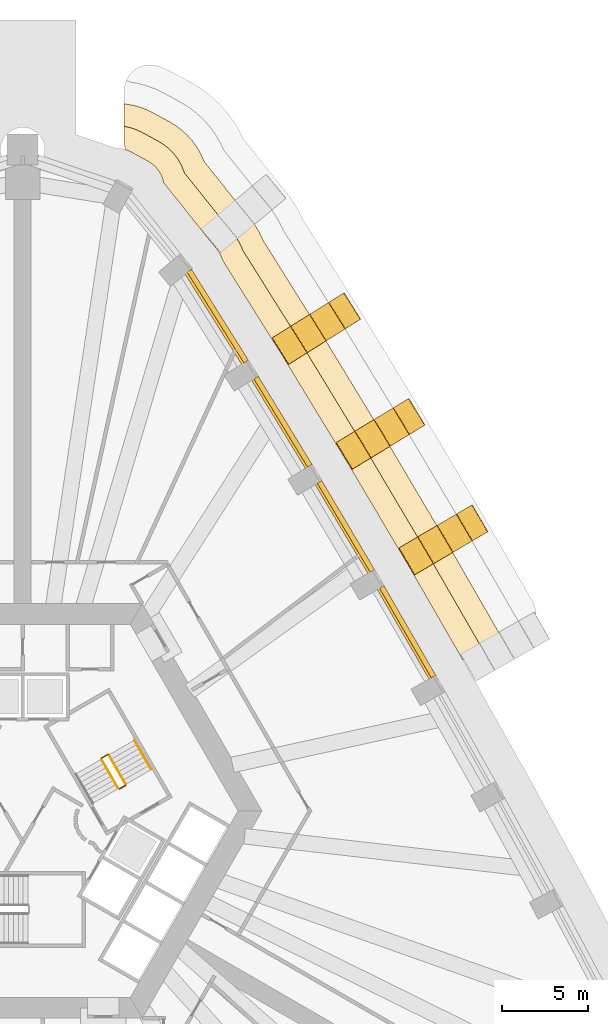
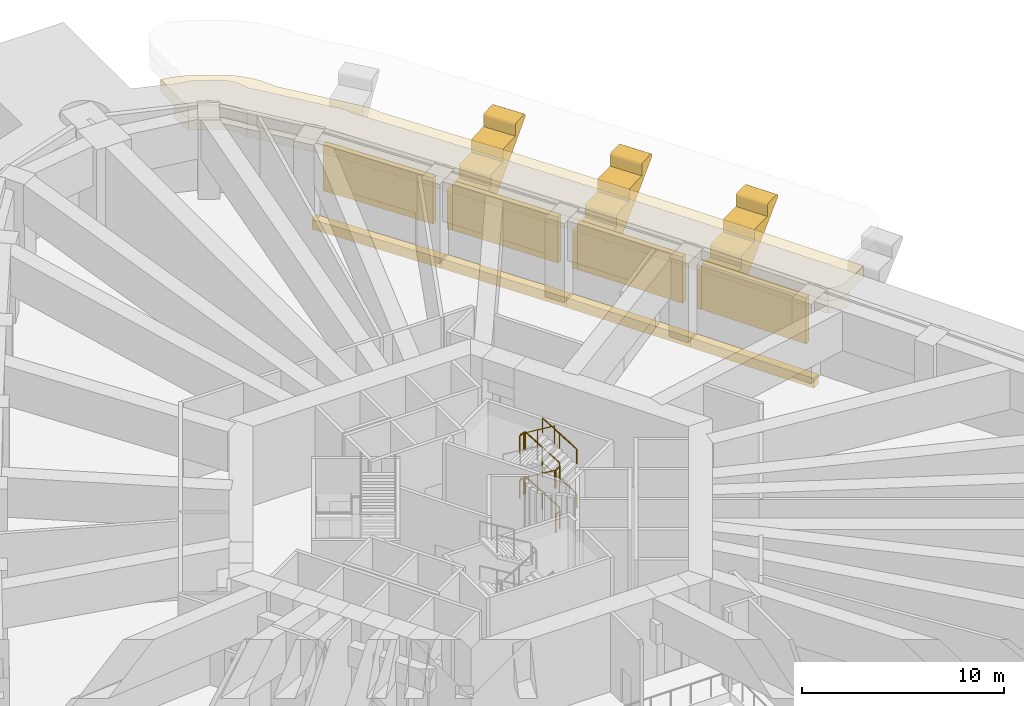
# One storey, part 18 of 20: 10 railings, 9 coverings, 4 shading devices.
"""IFC4 building model written with IfcOpenShell, lengths in metres."""

import ifcopenshell
import ifcopenshell.guid

model = None  # the IFC model being written
_history = None  # IfcOwnerHistory: only IFC2X3 demands one
_inside = {}  # id of a spatial element -> (the spatial element, [elements in it])
_under = {}  # id of a project, library or spatial element -> (it, [spatial elements below it])
_declared = {}  # id of a project -> (the project, [libraries it declares])
_typed = {}  # id of a type object -> (the type object, [elements of that type])
_made_of = {}  # id of a material, layer set ... -> (it, [elements and type objects made of it])


def new_model(schema):
    """Start an empty IFC model of exactly this schema.

    Asked for "IFC4X3", IfcOpenShell would pick the latest addendum, in which some entities
    have other attributes; the version numbers below select the first issue.
    IFC2X3 requires an IfcOwnerHistory on every rooted entity: one is made here for all.
    """
    global model, _history
    if schema == "IFC4X3":
        model = ifcopenshell.file(schema_version=(4, 3, 0, 0))
    else:
        model = ifcopenshell.file(schema=schema)
    _inside.clear()
    _under.clear()
    _declared.clear()
    _typed.clear()
    _made_of.clear()
    _history = None
    if model.schema == "IFC2X3":
        org = make("IfcOrganization", Name="unknown")
        user = make(
            "IfcPersonAndOrganization",
            ThePerson=make("IfcPerson", FamilyName="unknown"),
            TheOrganization=org,
        )
        app = make(
            "IfcApplication",
            ApplicationDeveloper=org,
            Version="unknown",
            ApplicationFullName="unknown",
            ApplicationIdentifier="unknown",
        )
        _history = make(
            "IfcOwnerHistory",
            OwningUser=user,
            OwningApplication=app,
            ChangeAction="ADDED",
            CreationDate=0,
        )
    return model


def make(cls, **values):
    """One entity of the class cls with the attributes given. An attribute that is None is left unset."""
    return model.create_entity(
        cls, **{name: value for name, value in values.items() if value is not None}
    )


def rooted(cls, **values):
    """An entity with a GlobalId (a new one), such as an element, a storey or a relation."""
    return make(cls, GlobalId=ifcopenshell.guid.new(), OwnerHistory=_history, **values)


def si_unit(unit_type, name, prefix=None):
    """IfcSIUnit, for example si_unit("LENGTHUNIT", "METRE", prefix="MILLI")."""
    return make("IfcSIUnit", UnitType=unit_type, Prefix=prefix, Name=name)


def assignment(units):
    """IfcUnitAssignment: the units of a project."""
    return None if units is None else make("IfcUnitAssignment", Units=units)


def point(xyz):
    """IfcCartesianPoint."""
    return None if xyz is None else make("IfcCartesianPoint", Coordinates=xyz)


def direction(xyz):
    """IfcDirection."""
    return None if xyz is None else make("IfcDirection", DirectionRatios=xyz)


def frame(location, z_axis=None, x_axis=None):
    """IfcAxis2Placement3D, a coordinate frame: its origin and axes. An axis left out is left unset."""
    return make(
        "IfcAxis2Placement3D",
        Location=point(location),
        Axis=direction(z_axis),
        RefDirection=direction(x_axis),
    )


def frame_2d(location, x_axis=None):
    """IfcAxis2Placement2D, a coordinate frame in the plane: its origin and x axis."""
    return make(
        "IfcAxis2Placement2D", Location=point(location), RefDirection=direction(x_axis)
    )


def origin():
    """The frame at (0, 0, 0) with its axes left unset."""
    return frame((0.0, 0.0, 0.0))


def origin_2d():
    """The frame at (0, 0) in the plane with its x axis left unset."""
    return frame_2d((0.0, 0.0))


def place(relative_to, where):
    """IfcLocalPlacement: puts the frame where relative to a parent placement (None: the world)."""
    return make(
        "IfcLocalPlacement", PlacementRelTo=relative_to, RelativePlacement=where
    )


def context(
    kind, dimensions, precision=None, world=None, true_north=None, identifier=None
):
    """IfcGeometricRepresentationContext, for example the 3D "Model" context."""
    return make(
        "IfcGeometricRepresentationContext",
        ContextIdentifier=identifier,
        ContextType=kind,
        CoordinateSpaceDimension=dimensions,
        Precision=precision,
        WorldCoordinateSystem=world,
        TrueNorth=true_north,
    )


def subcontext(parent, identifier, kind, view, scale=None):
    """IfcGeometricRepresentationSubContext, for example "Body" below "Model"."""
    return make(
        "IfcGeometricRepresentationSubContext",
        ContextIdentifier=identifier,
        ContextType=kind,
        ParentContext=parent,
        TargetScale=scale,
        TargetView=view,
    )


def project(units=None, contexts=None):
    """IfcProject with its units and contexts."""
    return rooted(
        "IfcProject",
        Name="project",
        RepresentationContexts=contexts,
        UnitsInContext=assignment(units),
    )


def spatial(cls, under=None, at=None, **own):
    """A site, building, storey or space (cls), placed at a placement, below another one or the project."""
    s = rooted(cls, ObjectPlacement=at, **own)
    if under is not None:
        _under.setdefault(under.id(), (under, []))[1].append(s)
    return s


def polyline(points):
    """IfcPolyline through the points."""
    return make("IfcPolyline", Points=[point(p) for p in points])


def profile(cls, at=None, kind="AREA", **sizes):
    """A parametric profile (cls). Its sizes go by their IFC names, for example OverallWidth=200.0."""
    return make(cls, ProfileType=kind, Position=at, **sizes)


def rectangle(**sizes):
    """IfcRectangleProfileDef."""
    return profile("IfcRectangleProfileDef", **sizes)


def circle(**sizes):
    """IfcCircleProfileDef."""
    return profile("IfcCircleProfileDef", **sizes)


def outline(outer, holes=None, kind="AREA"):
    """IfcArbitraryClosedProfileDef: a profile drawn as a closed curve; with holes, ...WithVoids."""
    if holes is None:
        return make("IfcArbitraryClosedProfileDef", ProfileType=kind, OuterCurve=outer)
    return make(
        "IfcArbitraryProfileDefWithVoids",
        ProfileType=kind,
        OuterCurve=outer,
        InnerCurves=holes,
    )


def extrude(swept, where, along, depth):
    """IfcExtrudedAreaSolid: the profile swept, set in the frame where, extruded along a direction by depth."""
    return make(
        "IfcExtrudedAreaSolid",
        SweptArea=swept,
        Position=where,
        ExtrudedDirection=direction(along),
        Depth=depth,
    )


def shape(context_of_items, identifier, shape_type, items):
    """IfcShapeRepresentation: the items that make up one representation, for example the "Body"."""
    return make(
        "IfcShapeRepresentation",
        ContextOfItems=context_of_items,
        RepresentationIdentifier=identifier,
        RepresentationType=shape_type,
        Items=items,
    )


def material(Name=None, Category=None):
    """IfcMaterial."""
    return make("IfcMaterial", Name=Name, Category=Category)


def layer(
    of_material, thickness, ventilated=None, Name=None, Category=None, Priority=None
):
    """IfcMaterialLayer: one layer of a wall or slab, of a material (None: an air gap)."""
    return make(
        "IfcMaterialLayer",
        Material=of_material,
        LayerThickness=thickness,
        IsVentilated=ventilated,
        Name=Name,
        Category=Category,
        Priority=Priority,
    )


def layer_set(layers, Name=None):
    """IfcMaterialLayerSet."""
    return make("IfcMaterialLayerSet", MaterialLayers=layers, LayerSetName=Name)


def made_of(thing, what):
    """Note that an element or type object is made of a material, layer set ...; save() writes the relation."""
    if what is not None:
        _made_of.setdefault(what.id(), (what, []))[1].append(thing)
    return thing


def type_object(cls, material=None, **own):
    """A type object (cls), such as IfcWallType, which elements share."""
    return made_of(rooted(cls, **own), material)


def element(
    cls,
    number,
    at=None,
    inside=None,
    cuts=None,
    type_object=None,
    material=None,
    context=None,
    identifier="Body",
    shape_type=None,
    held_by="IfcProductDefinitionShape",
    body=None,
    shapes=None,
    **own,
):
    """One element of the class cls, such as IfcWall. Its Tag is "e" and its number.

    at: its placement. inside: the storey or other place that contains it. cuts: it is an
    opening in that element (IfcRelVoidsElement). A single representation is given by context,
    identifier, shape_type and body (its items); several are given by shapes. held_by: the class
    of the entity that holds the representations. save() writes the other relations.
    """
    e = rooted(cls, Tag="e%d" % number, ObjectPlacement=at, **own)
    if body is not None:
        shapes = [shape(context, identifier, shape_type, body)]
    if shapes is not None:
        e.Representation = make(held_by, Representations=shapes)
    if inside is not None:
        _inside.setdefault(inside.id(), (inside, []))[1].append(e)
    if cuts is not None:
        rooted(
            "IfcRelVoidsElement", RelatingBuildingElement=cuts, RelatedOpeningElement=e
        )
    if type_object is not None:
        _typed.setdefault(type_object.id(), (type_object, []))[1].append(e)
    return made_of(e, material)


def aggregate(whole, parts):
    """IfcRelAggregates: a whole, such as a stair, and the parts it consists of."""
    return rooted("IfcRelAggregates", RelatingObject=whole, RelatedObjects=parts)


def save(model, path):
    """Write the relations noted so far, then the file.

    IfcRelAggregates (storeys below a building ...), IfcRelContainedInSpatialStructure (elements
    in a storey), IfcRelDefinesByType, IfcRelAssociatesMaterial and IfcRelDeclares: one each for
    every whole, place, type object, material and project.
    """
    for whole, parts in _under.values():
        aggregate(whole, parts)
    for where, things in _inside.values():
        rooted(
            "IfcRelContainedInSpatialStructure",
            RelatedElements=things,
            RelatingStructure=where,
        )
    for kind, things in _typed.values():
        rooted("IfcRelDefinesByType", RelatedObjects=things, RelatingType=kind)
    for what, things in _made_of.values():
        rooted("IfcRelAssociatesMaterial", RelatedObjects=things, RelatingMaterial=what)
    for by, libraries in _declared.values():
        rooted("IfcRelDeclares", RelatingContext=by, RelatedDefinitions=libraries)
    model.write(path)


model = new_model("IFC4")

# Units and contexts
model_context = context("Model", 3, precision=1e-05, world=origin(), true_north=direction((0.0, 1.0)))
body_context = subcontext(model_context, "Body", "Model", "MODEL_VIEW")
ifc_project = project(units=[si_unit("LENGTHUNIT", "METRE"), si_unit("AREAUNIT", "SQUARE_METRE"), si_unit("VOLUMEUNIT", "CUBIC_METRE"), si_unit("PLANEANGLEUNIT", "RADIAN"), si_unit("MASSUNIT", "GRAM", prefix="KILO")], contexts=[model_context])

# Site, building, storey
site_placement = place(None, origin())
site = spatial("IfcSite", under=ifc_project, at=site_placement, CompositionType="ELEMENT")
building_placement = place(site_placement, origin())
building = spatial("IfcBuilding", under=site, at=building_placement, Name="Entoto Arch Interchange Tower", CompositionType="ELEMENT")
storey_placement = place(building_placement, frame((0.0, 0.0, 184.39990234375)))
storey = spatial("IfcBuildingStorey", under=building, at=storey_placement, Name="L41", CompositionType="ELEMENT", Elevation=184.39990234375)

# Shading devices
ifc_material_1 = material(Name="Aluminium, anodised", Category="aluminium")
ifc_layer = layer(ifc_material_1, 0.300048828125)
ifc_layer_set = layer_set([ifc_layer], Name="Aluminium, anodised")
shading_device_type = type_object("IfcShadingDeviceType", Name="PLANT LOUVRE ALUMINIUM", PredefinedType="JALOUSIE", material=ifc_layer_set)
shading_device_1_placement = place(storey_placement, frame((22.291015625, 12.8701171875, 1.2001953125), z_axis=(0.0, 0.0, 1.0), x_axis=(-0.499954654331, 0.866051582536, 0.0)))
element("IfcShadingDevice", 1, at=shading_device_1_placement, inside=storey, type_object=shading_device_type, Name="Plant louvre NE-04 L41", PredefinedType="JALOUSIE", context=body_context, shape_type="SweptSolid", body=[
    extrude(rectangle(XDim=5.97705078125, YDim=0.300048828125, at=origin_2d()), origin(), (0.0, 0.0, 1.0), 2.800048828125),
])
shading_device_2_placement = place(storey_placement, frame((18.718017578125, 18.97412109375, 1.2001953125), z_axis=(0.0, 0.0, 1.0), x_axis=(-0.510137665403, 0.860092763798, 0.0)))
element("IfcShadingDevice", 2, at=shading_device_2_placement, inside=storey, type_object=shading_device_type, Name="Plant louvre NE-05 L41", PredefinedType="JALOUSIE", context=body_context, shape_type="SweptSolid", body=[
    extrude(rectangle(XDim=5.97509765625, YDim=0.300048828125, at=origin_2d()), origin(), (0.0, 0.0, 1.0), 2.800048828125),
])
shading_device_3_placement = place(storey_placement, frame((15.072021484375, 25.037109375, 1.2001953125), z_axis=(0.0, 0.0, 1.0), x_axis=(-0.520458324188, 0.853887072617, 0.0)))
element("IfcShadingDevice", 3, at=shading_device_3_placement, inside=storey, type_object=shading_device_type, Name="Plant louvre NE-06 L41", PredefinedType="JALOUSIE", context=body_context, shape_type="SweptSolid", body=[
    extrude(rectangle(XDim=5.97705078125, YDim=0.300048828125, at=origin_2d()), origin(), (0.0, 0.0, 1.0), 2.800048828125),
])
shading_device_4_placement = place(storey_placement, frame((11.300048828125, 31.14306640625, 1.2001953125), z_axis=(0.0, 0.0, 1.0), x_axis=(-0.530703502672, 0.847557545097, 0.0)))
element("IfcShadingDevice", 4, at=shading_device_4_placement, inside=storey, type_object=shading_device_type, Name="Plant louvre NE-07 L41", PredefinedType="JALOUSIE", context=body_context, shape_type="SweptSolid", body=[
    extrude(rectangle(XDim=6.181884765625, YDim=0.300048828125, at=origin_2d()), origin(), (0.0, 0.0, 1.0), 2.800048828125),
])

# Coverings
ifc_material_2 = material(Name="Board-marked precast concrete C50/60", Category="concrete")
covering_type_1 = type_object("IfcCoveringType", Name="PRECAST FRAME COURSE", PredefinedType="CLADDING", material=ifc_material_2)
covering_1_placement = place(storey_placement, frame((0.0, 0.0, 2.550048828125)))
element("IfcCovering", 5, at=covering_1_placement, inside=storey, type_object=covering_type_1, Name="Cantilever cornice ne-L41 3", PredefinedType="CLADDING", context=body_context, shape_type="SweptSolid", body=[
    extrude(outline(polyline([(5.93408203125, 40.881103515625), (5.89990234375, 41.02099609375), (5.87890625, 41.1630859375), (5.8720703125, 41.306884765625), (5.8720703125, 43.4541015625), (5.9541015625, 43.426025390625), (6.3291015625, 43.366943359375), (6.7470703125, 43.259033203125), (7.152099609375, 43.110107421875), (7.541015625, 42.922119140625), (8.506103515625, 42.39501953125), (8.875, 42.169921875), (9.218994140625, 41.909912109375), (9.537109375, 41.616943359375), (9.823974609375, 41.294921875), (10.077880859375, 40.945068359375), (10.297119140625, 40.572998046875), (10.47802734375, 40.180908203125), (10.508056640625, 40.095947265625), (12.89306640625, 37.10693359375), (13.217041015625, 36.718017578125), (13.47607421875, 36.373046875), (13.699951171875, 36.00390625), (13.886962890625, 35.614013671875), (13.9150390625, 35.5400390625), (16.791015625, 30.947021484375), (16.800048828125, 30.93408203125), (17.383056640625, 30.0), (17.409912109375, 29.95703125), (20.5009765625, 24.8720703125), (20.52099609375, 24.843017578125), (21.091064453125, 23.902099609375), (21.113037109375, 23.864990234375), (24.135986328125, 18.760009765625), (24.1689453125, 18.7099609375), (24.72607421875, 17.760986328125), (24.741943359375, 17.73193359375), (27.697021484375, 12.60595703125), (27.743896484375, 12.532958984375), (28.01611328125, 12.054931640625), (27.30810546875, 11.653076171875), (26.763916015625, 11.343994140625), (26.639892578125, 11.281005859375), (26.510986328125, 11.22900390625), (26.376953125, 11.18994140625), (26.239990234375, 11.1640625), (26.10205078125, 11.14990234375), (25.9619140625, 11.14892578125), (25.823974609375, 11.160888671875), (25.68701171875, 11.18603515625), (25.552978515625, 11.22412109375), (25.487060546875, 11.2451171875), (25.5009765625, 11.216064453125), (25.48291015625, 11.248046875), (25.43603515625, 11.322021484375), (22.489990234375, 16.43408203125), (22.48291015625, 16.445068359375), (21.926025390625, 17.39404296875), (21.89306640625, 17.445068359375), (18.8759765625, 22.541015625), (18.866943359375, 22.555908203125), (18.297119140625, 23.4970703125), (18.277099609375, 23.52587890625), (15.18798828125, 28.60595703125), (15.177001953125, 28.6240234375), (14.594970703125, 29.556884765625), (14.5849609375, 29.571044921875), (11.56298828125, 34.39599609375), (11.552001953125, 34.43896484375), (11.490966796875, 34.60498046875), (11.4150390625, 34.763916015625), (11.322998046875, 34.9150390625), (11.217041015625, 35.055908203125), (10.876953125, 35.466064453125), (8.16796875, 38.85888671875), (8.1669921875, 38.868896484375), (8.1259765625, 39.0400390625), (8.068115234375, 39.20703125), (7.993896484375, 39.366943359375), (7.904052734375, 39.52001953125), (7.800048828125, 39.662109375), (7.68310546875, 39.7939453125), (7.552978515625, 39.9140625), (7.412109375, 40.02099609375), (7.260986328125, 40.113037109375), (6.294921875, 40.639892578125), (6.135986328125, 40.716064453125), (5.970947265625, 40.777099609375), (5.93505859375, 40.787109375), (5.968017578125, 40.780029296875), (5.9599609375, 40.80810546875), (5.93408203125, 40.881103515625)])), origin(), (0.0, 0.0, 1.0), 0.75),
])
covering_2_placement = place(storey_placement, frame((0.0, 0.0, 1.800048828125)))
element("IfcCovering", 6, at=covering_2_placement, inside=storey, type_object=covering_type_1, Name="Cantilever cornice ne-L41 4", PredefinedType="CLADDING", context=body_context, shape_type="SweptSolid", body=[
    extrude(outline(polyline([(5.93408203125, 40.881103515625), (5.89990234375, 41.02099609375), (5.87890625, 41.1630859375), (5.8720703125, 41.306884765625), (5.8720703125, 42.125), (6.06396484375, 42.094970703125), (6.35888671875, 42.01806640625), (6.64404296875, 41.9130859375), (6.91796875, 41.781005859375), (7.884033203125, 41.25390625), (8.14306640625, 41.094970703125), (8.385986328125, 40.912109375), (8.610107421875, 40.7060546875), (8.81201171875, 40.47802734375), (8.990966796875, 40.23291015625), (9.14501953125, 39.969970703125), (9.27294921875, 39.694091796875), (9.35595703125, 39.455078125), (11.885009765625, 36.287109375), (12.217041015625, 35.886962890625), (12.39990234375, 35.64404296875), (12.55810546875, 35.384033203125), (12.68896484375, 35.110107421875), (12.743896484375, 34.958984375), (15.68798828125, 30.259033203125), (15.697021484375, 30.2451171875), (16.280029296875, 29.31201171875), (16.299072265625, 29.281005859375), (19.388916015625, 24.198974609375), (19.408935546875, 24.169921875), (19.97900390625, 23.22900390625), (19.993896484375, 23.202880859375), (23.014892578125, 18.10205078125), (23.048095703125, 18.052001953125), (23.60400390625, 17.10302734375), (23.615966796875, 17.0830078125), (26.56689453125, 11.964111328125), (26.614013671875, 11.89111328125), (26.885009765625, 11.412109375), (26.763916015625, 11.343994140625), (26.639892578125, 11.281005859375), (26.510986328125, 11.22900390625), (26.376953125, 11.18994140625), (26.239990234375, 11.1640625), (26.10205078125, 11.14990234375), (25.9619140625, 11.14892578125), (25.823974609375, 11.160888671875), (25.68701171875, 11.18603515625), (25.552978515625, 11.22412109375), (25.487060546875, 11.2451171875), (25.5009765625, 11.216064453125), (25.48291015625, 11.248046875), (25.43603515625, 11.322021484375), (22.489990234375, 16.43408203125), (22.48291015625, 16.445068359375), (21.926025390625, 17.39404296875), (21.89306640625, 17.445068359375), (18.8759765625, 22.541015625), (18.866943359375, 22.555908203125), (18.297119140625, 23.4970703125), (18.277099609375, 23.52587890625), (15.18798828125, 28.60595703125), (15.177001953125, 28.6240234375), (14.594970703125, 29.556884765625), (14.5849609375, 29.571044921875), (11.56298828125, 34.39599609375), (11.552001953125, 34.43896484375), (11.490966796875, 34.60498046875), (11.4150390625, 34.763916015625), (11.322998046875, 34.9150390625), (11.217041015625, 35.055908203125), (10.876953125, 35.466064453125), (8.16796875, 38.85888671875), (8.1669921875, 38.868896484375), (8.1259765625, 39.0400390625), (8.068115234375, 39.20703125), (7.993896484375, 39.366943359375), (7.904052734375, 39.52001953125), (7.800048828125, 39.662109375), (7.68310546875, 39.7939453125), (7.552978515625, 39.9140625), (7.412109375, 40.02099609375), (7.260986328125, 40.113037109375), (6.294921875, 40.639892578125), (6.135986328125, 40.716064453125), (5.970947265625, 40.777099609375), (5.93505859375, 40.787109375), (5.968017578125, 40.780029296875), (5.9599609375, 40.80810546875), (5.93408203125, 40.881103515625)])), origin(), (0.0, 0.0, 1.0), 0.75),
])
covering_3_placement = place(storey_placement, frame((22.904052734375, 16.287109375, -0.558837890625), z_axis=(0.506178265225, -0.862424439816, 0.00276575884), x_axis=(-0.70862638279, -0.417733968035, -0.568636071283)))
element("IfcCovering", 7, at=covering_3_placement, inside=storey, type_object=covering_type_1, Name="Fold rib NE05 L41", PredefinedType="CLADDING", context=body_context, shape_type="SweptSolid", body=[
    extrude(outline(polyline([(0.0, 0.0), (0.04422566295487457, 0.0), (0.08595894852174216, -0.013119868138948679), (0.12196402508974288, -0.03563695026267064), (0.14994488306903442, -0.06952027326071052), (0.16710566897710674, -0.10928392518010005), (0.17288888961301355, -0.15216034665317263), (0.16576632923902182, -0.19472575786197485), (0.1540318020802306, -0.22193159542053087), (-1.0472732531100832, -1.9614611364776606), (-1.066858630845241, -1.9832409948300753), (-1.0891608267273014, -2.0016582290551583), (-1.1156231470006825, -2.015122152443526), (-1.1440996114224011, -2.023337670002035), (-1.1737038608145887, -2.026020625224495), (-1.2030006056124884, -2.0226886341983215), (-1.2304515201661417, -2.013506938851057), (-1.2568500621251348, -1.9988184224937238), (-2.1778319797531416, -1.3621590944500217), (-2.5277634650418768, -1.8678924745721954), (-2.5611825815428224, -1.8958391622289439), (-2.5867798793762744, -1.9099031356620508), (-2.6148484004698336, -1.9183978244416768), (-2.6448605931901805, -1.92080160844302), (-2.6880995741830302, -1.9140616593601236), (-2.727598851172568, -1.8938785769333655), (-3.6736503094416944, -1.2398918627927673), (-4.024171826850333, -1.7452149956844294), (-4.057000911231375, -1.7735719305716893), (-4.083188241184731, -1.7872256567742841), (-4.111429766766276, -1.7956003355449623), (-4.140749941534679, -1.7984841595820968), (-4.184680940479472, -1.7912641704634098), (-4.22331519502908, -1.77168113808139), (-5.169539657786193, -1.1175744139318438), (-5.520061175194831, -1.622897546823506), (-5.552482316247715, -1.6515336529318834), (-5.57877163203311, -1.665117586329199), (-5.6071461106227884, -1.6734028966929873), (-5.636160327895073, -1.6764960991459597), (-5.680499270168025, -1.668996938806155), (-5.719306529205618, -1.649293896415188), (-6.353034184918298, -1.2112066932315657), (-6.375927870409132, -1.1918183554389512), (-6.394241831170093, -1.1681796371492865), (-6.407996353685955, -1.1417525779483495), (-6.416351508535177, -1.1128274575622026), (-6.418320522450715, -1.0835668000286995), (-6.41365349813093, -1.0538506378433907), (-6.404473986812073, -1.0248752917526756), (-6.389884360474936, -0.9999385358591821), (-6.369916678564401, -0.9772353622571148), (-6.345510671796468, -0.9599765630235026), (-6.319221356011074, -0.9463926296261871), (-6.290435177812787, -0.9395804673531223), (0.0, 0.0)])), origin(), (0.0, 0.0, -1.0), 1.800048828125),
])
covering_4_placement = place(storey_placement, frame((19.2900390625, 22.402099609375, -0.552001953125), z_axis=(0.517752920383, -0.85552433791, 0.003165545661), x_axis=(-0.701923410649, -0.426905083282, -0.570136453361)))
element("IfcCovering", 8, at=covering_4_placement, inside=storey, type_object=covering_type_1, Name="Fold rib NE06 L41", PredefinedType="CLADDING", context=body_context, shape_type="SweptSolid", body=[
    extrude(outline(polyline([(0.0, 0.0), (0.04367411317336317, 3.469446951953614e-18), (0.0845203331228755, -0.012596957502351461), (0.12147895809213305, -0.035866588809114724), (0.14940118369193875, -0.06980508334126974), (0.16689574830989765, -0.10988099805359525), (0.17157949698514133, -0.1374999813375605), (0.16806133402309337, -0.18112155987139122), (0.15292710229572604, -0.2220269852389586), (-1.0477593783389882, -1.9533740388557852), (-1.0672136165088977, -1.975236973210992), (-1.0897189426623253, -1.9934948169150273), (-1.1164490977843209, -2.006744457317578), (-1.1445285256137947, -2.0151899438496756), (-1.173859340670821, -2.0180155969479867), (-1.203157308089536, -2.0146240701276685), (-1.2307611692822922, -2.005272564110313), (-1.2562687462858937, -1.9911362249051652), (-2.1763551577277154, -1.352614081204017), (-2.5278173077964157, -1.8572833630696186), (-2.5607048232393073, -1.8855753621625748), (-2.586913853992062, -1.8991826293267668), (-2.615581549337106, -1.9072226011196411), (-2.6447409963739545, -1.9101676675478623), (-2.688136049519008, -1.903229357564884), (-2.727835874069739, -1.8828106421853987), (-3.6720351337684844, -1.2275543536591065), (-4.023497283837185, -1.7322236355247076), (-4.056109206386049, -1.760706573299903), (-4.082593830032831, -1.7741229017818565), (-4.111090157357697, -1.7822822869046409), (-4.140420972414724, -1.7851079400029515), (-4.183644657539599, -1.7782890433498835), (-4.222830378029796, -1.75822856796013), (-5.167439516915227, -1.1026855647964346), (-5.519005891857775, -1.607283321309708), (-5.551789182426818, -1.6356468457549922), (-5.578102438053421, -1.6491825875668562), (-5.606770133398466, -1.65722255935973), (-5.636100948455492, -1.6600482124580411), (-5.67974153307576, -1.6529432143956595), (-5.718338986050386, -1.63328825374513), (-6.351336084398964, -1.1939998372821279), (-6.3742927150757165, -1.1745005855294948), (-6.392465707985906, -1.1508944463182358), (-6.406685316772488, -1.1240885049172524), (-6.413885051004961, -1.095910989234032), (-6.416213005958788, -1.0663627923319514), (-6.4120778602387425, -1.0362453101268856), (-6.402255332742336, -1.0076982954371374), (-6.387618346932224, -0.9827893625005921), (-6.36760733488208, -0.9601241391661328), (-6.343756218808641, -0.9425010032985686), (-6.316757491101326, -0.9294429148063466), (-6.286987424180176, -0.9221666977424281), (0.0, 0.0)])), origin(), (0.0, 0.0, -1.0), 1.800048828125),
])
covering_5_placement = place(storey_placement, frame((15.60205078125, 28.47607421875, -0.537841796875), z_axis=(0.529413902345, -0.848357385374, 0.003265989121), x_axis=(-0.691646463315, -0.433842016969, -0.577413434288)))
element("IfcCovering", 9, at=covering_5_placement, inside=storey, type_object=covering_type_1, Name="Fold rib NE07 L41", PredefinedType="CLADDING", context=body_context, shape_type="SweptSolid", body=[
    extrude(outline(polyline([(0.0, 0.0), (0.04355121485424279, -3.469446951953614e-18), (0.08427845355800373, -0.012957793172069253), (0.12046523718985369, -0.03735472375396952), (0.14900611052391682, -0.07099308647870287), (0.1653557378003963, -0.11066627682366482), (0.1701726433249193, -0.1532450935697042), (0.16632865301942418, -0.1825243830416614), (0.15097754434492835, -0.2230984517768507), (-1.05697554869231, -1.9323704069991368), (-1.076730561971805, -1.953984390316288), (-1.099392757093021, -1.9720442141364047), (-1.1262459555137359, -1.985050606418023), (-1.1541401986243378, -1.9934338339634485), (-1.1841723071931294, -1.9955164639080378), (-1.213442263838633, -1.9918610649698028), (-1.2413782619469675, -1.981971955838462), (-1.266079110982954, -1.9680909884735889), (-2.1803854215236704, -1.3214682102479356), (-2.5363363924973403, -1.8229815058960535), (-2.5694789902181565, -1.8509760921575489), (-2.5958025963330016, -1.8643528845730644), (-2.6245411344427665, -1.872136417447225), (-2.6540037254734017, -1.874624723102047), (-2.6975797800960954, -1.867129872803377), (-2.7368407801074204, -1.8465431107577213), (-3.67500059376252, -1.1830477406704643), (-4.03095156473619, -1.6845610363185817), (-4.064094162457006, -1.7125556225800773), (-4.09027192487839, -1.7260417705987077), (-4.119010462988156, -1.7338253034728677), (-4.148198276557784, -1.7365076280887222), (-4.191943190180311, -1.728892838855799), (-4.230780516346938, -1.7086023969172612), (-5.169469922307908, -1.044736626696107), (-5.525420893281578, -1.546249922344225), (-5.55845757254122, -1.5743185886325), (-5.584887097117239, -1.5876213010212359), (-5.613456776227172, -1.5955247728296493), (-5.642813448796633, -1.5980871585112508), (-5.686389503419328, -1.5905923082125804), (-5.725395688585788, -1.5701819273397901), (-6.353513744221882, -1.1259632291748232), (-6.375506747415665, -1.1068186464220067), (-6.393975498691185, -1.0826908765328027), (-6.407280785050579, -1.0562380642258637), (-6.414646125650073, -1.0277053621764103), (-6.4168822893344934, -0.9980153277849406), (-6.412580337183249, -0.9678646483443818), (-6.402396504426245, -0.9394811680533719), (-6.387960255060094, -0.9144083730813661), (-6.36774727993485, -0.8919229997956131), (-6.343315412587007, -0.8748103244680676), (-6.316316370472832, -0.8619132877895641), (-6.287154158518369, -0.8544260750225221), (0.0, 0.0)])), origin(), (0.0, 0.0, -1.0), 1.800048828125),
])
covering_type_2 = type_object("IfcCoveringType", Name="PRECAST LEDGE COURSE", PredefinedType="CLADDING", material=ifc_material_2)
covering_6_placement = place(storey_placement, frame((0.0, 0.0, -1.199951171875)))
element("IfcCovering", 10, at=covering_6_placement, inside=storey, type_object=covering_type_2, Name="Precast course NE-04 L41", PredefinedType="CLADDING", context=body_context, shape_type="SweptSolid", body=[
    extrude(outline(polyline([(20.263916015625, 15.781005859375), (20.652099609375, 16.009033203125), (24.18994140625, 9.881103515625), (23.798095703125, 9.658935546875), (20.263916015625, 15.781005859375)])), origin(), (0.0, 0.0, 1.0), 0.60009765625),
])
covering_7_placement = place(storey_placement, frame((0.0, 0.0, -1.199951171875)))
element("IfcCovering", 11, at=covering_7_placement, inside=storey, type_object=covering_type_2, Name="Precast course NE-05 L41", PredefinedType="CLADDING", context=body_context, shape_type="SweptSolid", body=[
    extrude(outline(polyline([(16.654052734375, 21.85888671875), (17.0419921875, 22.093994140625), (20.652099609375, 16.009033203125), (20.263916015625, 15.781005859375), (16.654052734375, 21.85888671875)])), origin(), (0.0, 0.0, 1.0), 0.60009765625),
])
covering_8_placement = place(storey_placement, frame((0.0, 0.0, -1.199951171875)))
element("IfcCovering", 12, at=covering_8_placement, inside=storey, type_object=covering_type_2, Name="Precast course NE-06 L41", PredefinedType="CLADDING", context=body_context, shape_type="SweptSolid", body=[
    extrude(outline(polyline([(12.968994140625, 27.89306640625), (13.35888671875, 28.136962890625), (17.0419921875, 22.093994140625), (16.654052734375, 21.85888671875), (12.968994140625, 27.89306640625)])), origin(), (0.0, 0.0, 1.0), 0.60009765625),
])
covering_9_placement = place(storey_placement, frame((0.0, 0.0, -1.199951171875)))
element("IfcCovering", 13, at=covering_9_placement, inside=storey, type_object=covering_type_2, Name="Precast course NE-07 L41", PredefinedType="CLADDING", context=body_context, shape_type="SweptSolid", body=[
    extrude(outline(polyline([(9.117919921875, 34.027099609375), (9.48095703125, 34.3291015625), (13.35888671875, 28.136962890625), (12.968994140625, 27.89306640625), (9.117919921875, 34.027099609375)])), origin(), (0.0, 0.0, 1.0), 0.60009765625),
])

# Railings
ifc_material_3 = material(Name="Stainless steel 1.4301", Category="steel")
railing_type_1 = type_object("IfcRailingType", Name="STAIR GUARD 1100 STEEL", PredefinedType="GUARDRAIL", material=ifc_material_3)
railing_1_placement = place(storey_placement, frame((5.977783203125, 4.046142578125, 0.1689453125)))
element("IfcRailing", 14, at=railing_1_placement, inside=storey, type_object=railing_type_1, Name="L41 ST-NE stair guard 1", PredefinedType="GUARDRAIL", context=body_context, shape_type="SweptSolid", body=[
    extrude(circle(Radius=0.02392578125, at=origin_2d()), frame((0.0, 0.0, 1.076171875), z_axis=(-0.428262048313, 0.74172340804, 0.516176330279), x_axis=(-0.866011328839, -0.500024377727, 0.0)), (0.0, 0.0, 1.0), 2.288330078125),
    extrude(circle(Radius=0.02099609375, at=origin_2d()), origin(), (0.0, 0.0, 1.0), 1.052001953125),
    extrude(circle(Radius=0.02099609375, at=origin_2d()), frame((-0.489990234375, 0.8486328125, 0.590576171875)), (0.0, 0.0, 1.0), 1.052001953125),
    extrude(circle(Radius=0.02099609375, at=origin_2d()), frame((-0.97998046875, 1.697265625, 1.18115234375)), (0.0, 0.0, 1.0), 1.052001953125),
])
railing_2_placement = place(storey_placement, frame((4.929443359375, 5.76171875, 1.35009765625)))
element("IfcRailing", 15, at=railing_2_placement, inside=storey, type_object=railing_type_1, Name="L41 ST-NE stair guard 2", PredefinedType="GUARDRAIL", context=body_context, shape_type="SweptSolid", body=[
    extrude(circle(Radius=0.02392578125, at=origin_2d()), frame((0.0, 0.0, 1.076171875), z_axis=(-0.865941482684, -0.500145327446, 0.0), x_axis=(0.500145327446, -0.865941482684, 0.0)), (0.0, 0.0, 1.0), 0.39990234375),
    extrude(circle(Radius=0.02099609375, at=origin_2d()), origin(), (0.0, 0.0, 1.0), 1.052001953125),
    extrude(circle(Radius=0.02099609375, at=origin_2d()), frame((-0.34619140625, -0.199951171875, 0.0)), (0.0, 0.0, 1.0), 1.052001953125),
])
railing_3_placement = place(storey_placement, frame((4.56494140625, 5.493408203125, 1.518798828125)))
element("IfcRailing", 16, at=railing_3_placement, inside=storey, type_object=railing_type_1, Name="L41 ST-NE stair guard 3", PredefinedType="GUARDRAIL", context=body_context, shape_type="SweptSolid", body=[
    extrude(circle(Radius=0.02392578125, at=origin_2d()), frame((0.0, 0.0, 1.076171875), z_axis=(0.428238462606, -0.741682559053, 0.516254589076), x_axis=(0.866011328839, 0.500024377727, 0.0)), (0.0, 0.0, 1.0), 2.288330078125),
    extrude(circle(Radius=0.02099609375, at=origin_2d()), origin(), (0.0, 0.0, 1.0), 1.052001953125),
    extrude(circle(Radius=0.02099609375, at=origin_2d()), frame((0.489990234375, -0.8486328125, 0.5908203125)), (0.0, 0.0, 1.0), 1.052001953125),
    extrude(circle(Radius=0.02099609375, at=origin_2d()), frame((0.97998046875, -1.697265625, 1.181396484375)), (0.0, 0.0, 1.0), 1.052001953125),
])
railing_4_placement = place(storey_placement, frame((5.95947265625, 3.977783203125, 2.7001953125)))
element("IfcRailing", 17, at=railing_4_placement, inside=storey, type_object=railing_type_1, Name="L41 ST-NE stair guard 4", PredefinedType="GUARDRAIL", context=body_context, shape_type="SweptSolid", body=[
    extrude(circle(Radius=0.02392578125, at=origin_2d()), frame((0.0, 0.0, 1.076171875), z_axis=(-0.866094119867, -0.499880961361, 0.0), x_axis=(0.499880961361, -0.866094119867, 0.0)), (0.0, 0.0, 1.0), 0.39990234375),
    extrude(circle(Radius=0.02099609375, at=origin_2d()), origin(), (0.0, 0.0, 1.0), 1.052001953125),
    extrude(circle(Radius=0.02099609375, at=origin_2d()), frame((-0.346435546875, -0.199951171875, 0.0)), (0.0, 0.0, 1.0), 1.052001953125),
])
railing_5_placement = place(storey_placement, frame((5.977783203125, 4.046142578125, 2.868896484375)))
element("IfcRailing", 18, at=railing_5_placement, inside=storey, type_object=railing_type_1, Name="L41 ST-NE stair guard 5", PredefinedType="GUARDRAIL", context=body_context, shape_type="SweptSolid", body=[
    extrude(circle(Radius=0.02392578125, at=origin_2d()), frame((0.0, 0.0, 1.076171875), z_axis=(-0.428262048313, 0.74172340804, 0.516176330279), x_axis=(-0.866011328839, -0.500024377727, 0.0)), (0.0, 0.0, 1.0), 2.288330078125),
    extrude(circle(Radius=0.02099609375, at=origin_2d()), origin(), (0.0, 0.0, 1.0), 1.052001953125),
    extrude(circle(Radius=0.02099609375, at=origin_2d()), frame((-0.489990234375, 0.8486328125, 0.590576171875)), (0.0, 0.0, 1.0), 1.052001953125),
    extrude(circle(Radius=0.02099609375, at=origin_2d()), frame((-0.97998046875, 1.697265625, 1.18115234375)), (0.0, 0.0, 1.0), 1.052001953125),
])
railing_6_placement = place(storey_placement, frame((4.929443359375, 5.76171875, 4.050048828125)))
element("IfcRailing", 19, at=railing_6_placement, inside=storey, type_object=railing_type_1, Name="L41 ST-NE stair guard 6", PredefinedType="GUARDRAIL", context=body_context, shape_type="SweptSolid", body=[
    extrude(circle(Radius=0.02392578125, at=origin_2d()), frame((0.0, 0.0, 1.076171875), z_axis=(-0.865941482684, -0.500145327446, 0.0), x_axis=(0.500145327446, -0.865941482684, 0.0)), (0.0, 0.0, 1.0), 0.39990234375),
    extrude(circle(Radius=0.02099609375, at=origin_2d()), origin(), (0.0, 0.0, 1.0), 1.052001953125),
    extrude(circle(Radius=0.02099609375, at=origin_2d()), frame((-0.34619140625, -0.199951171875, 0.0)), (0.0, 0.0, 1.0), 1.052001953125),
])
railing_7_placement = place(storey_placement, frame((4.56494140625, 5.493408203125, 4.21875)))
element("IfcRailing", 20, at=railing_7_placement, inside=storey, type_object=railing_type_1, Name="L41 ST-NE stair guard 7", PredefinedType="GUARDRAIL", context=body_context, shape_type="SweptSolid", body=[
    extrude(circle(Radius=0.02392578125, at=origin_2d()), frame((0.0, 0.0, 1.076171875), z_axis=(0.428238462606, -0.741682559053, 0.516254589076), x_axis=(0.866011328839, 0.500024377727, 0.0)), (0.0, 0.0, 1.0), 2.288330078125),
    extrude(circle(Radius=0.02099609375, at=origin_2d()), origin(), (0.0, 0.0, 1.0), 1.052001953125),
    extrude(circle(Radius=0.02099609375, at=origin_2d()), frame((0.489990234375, -0.8486328125, 0.5908203125)), (0.0, 0.0, 1.0), 1.052001953125),
    extrude(circle(Radius=0.02099609375, at=origin_2d()), frame((0.97998046875, -1.697265625, 1.181396484375)), (0.0, 0.0, 1.0), 1.052001953125),
])
railing_8_placement = place(storey_placement, frame((5.95947265625, 3.977783203125, 0.0)))
element("IfcRailing", 21, at=railing_8_placement, inside=storey, type_object=railing_type_1, Name="L41 ST-NE stair guard 8", PredefinedType="GUARDRAIL", context=body_context, shape_type="SweptSolid", body=[
    extrude(circle(Radius=0.02392578125, at=origin_2d()), frame((0.0, 0.0, 1.076171875), z_axis=(-0.866094119867, -0.499880961361, 0.0), x_axis=(0.499880961361, -0.866094119867, 0.0)), (0.0, 0.0, 1.0), 0.39990234375),
    extrude(circle(Radius=0.02099609375, at=origin_2d()), origin(), (0.0, 0.0, 1.0), 1.052001953125),
    extrude(circle(Radius=0.02099609375, at=origin_2d()), frame((-0.346435546875, -0.199951171875, 0.0)), (0.0, 0.0, 1.0), 1.052001953125),
])
railing_type_2 = type_object("IfcRailingType", Name="STAIR HANDRAIL 900 STEEL", PredefinedType="HANDRAIL", material=ifc_material_3)
for number, where, name in (
    (22, (7.4501953125, 4.89599609375, 0.1689453125), "L41 ST-NE stair handrail 1"),
    (23, (7.4501953125, 4.89599609375, 2.868896484375), "L41 ST-NE stair handrail 3"),
):
    element("IfcRailing", number, at=place(storey_placement, frame(where)), inside=storey, type_object=railing_type_2, Name=name, PredefinedType="HANDRAIL", context=body_context, shape_type="SweptSolid", body=[
        extrude(circle(Radius=0.02392578125, at=origin_2d()), frame((0.0, 0.0, 0.8759765625), z_axis=(-0.428228158944, 0.741771397394, 0.516135484049), x_axis=(-0.866042469362, -0.499970440388, 0.0)), (0.0, 0.0, 1.0), 2.28857421875),
        extrude(circle(Radius=0.02099609375, at=origin_2d()), origin(), (0.0, 0.0, 1.0), 0.851806640625),
        extrude(circle(Radius=0.02099609375, at=origin_2d()), frame((-0.489990234375, 0.8486328125, 0.590576171875)), (0.0, 0.0, 1.0), 0.851806640625),
        extrude(circle(Radius=0.02099609375, at=origin_2d()), frame((-0.97998046875, 1.697509765625, 1.18115234375)), (0.0, 0.0, 1.0), 0.851806640625),
    ])

save(model, "model.ifc")
